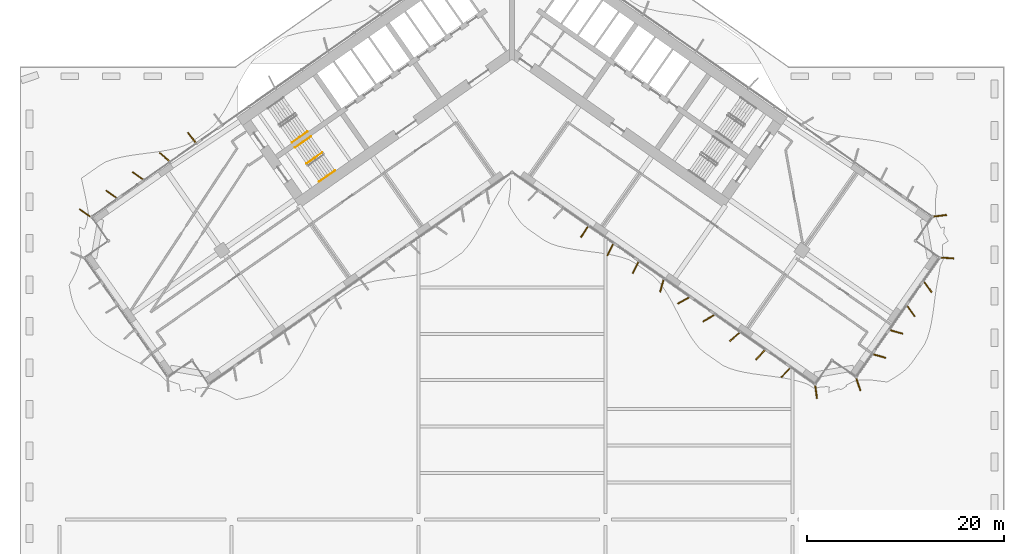
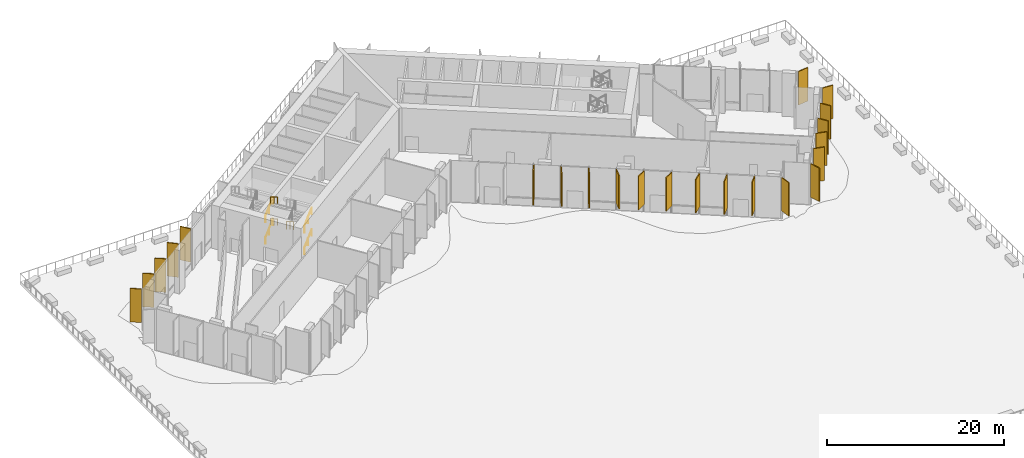
# One storey, part 23 of 27: 22 shading devices, 7 railings.
"""IFC4 building model written with IfcOpenShell, lengths in metres."""

from ifc_helpers import new_model, si_unit, direction, frame, origin, origin_2d, place, context, subcontext, project, spatial, rectangle, circle, extrude, material, layer, layer_set, type_object, element, save


model = new_model("IFC4")

# Units and contexts
model_context = context("Model", 3, precision=1e-05, world=origin(), true_north=direction((0.0, 1.0)))
body_context = subcontext(model_context, "Body", "Model", "MODEL_VIEW")
ifc_project = project(units=[si_unit("LENGTHUNIT", "METRE"), si_unit("AREAUNIT", "SQUARE_METRE"), si_unit("VOLUMEUNIT", "CUBIC_METRE"), si_unit("PLANEANGLEUNIT", "RADIAN"), si_unit("MASSUNIT", "GRAM", prefix="KILO")], contexts=[model_context])

# Site, building, storey
site_placement = place(None, origin())
site = spatial("IfcSite", under=ifc_project, at=site_placement, CompositionType="ELEMENT")
building_placement = place(site_placement, origin())
building = spatial("IfcBuilding", under=site, at=building_placement, Name="Tel Ilan Convention Tower", CompositionType="ELEMENT")
storey_placement = place(building_placement, frame((0.0, 0.0, 48.5)))
storey = spatial("IfcBuildingStorey", under=building, at=storey_placement, Name="L07", CompositionType="ELEMENT", Elevation=48.5)

# Shading devices
ifc_material_1 = material(Name="Aluminium, bronze anodised", Category="aluminium")
ifc_layer = layer(ifc_material_1, 0.1201171875)
ifc_layer_set = layer_set([ifc_layer], Name="FIN BRONZE 1300x120")
shading_device_type = type_object("IfcShadingDeviceType", Name="FIN BRONZE 1300x120", PredefinedType="USERDEFINED", material=ifc_layer_set)
for number, where, z_axis, x_axis, name in (
    (1, (7.36181640625, -18.7685546875, 1.099853515625), (0.0, 0.0, 1.0), (-0.533204432798, -0.845986425922, 0.0), "FIN"),
    (2, (9.9833984375, -20.603759765625, 1.099853515625), (0.0, 0.0, 1.0), (-0.448799180206, -0.893632640321, 0.0), "FIN"),
    (3, (12.55322265625, -22.403076171875, 1.099853515625), (0.0, 0.0, 1.0), (-0.448799180206, -0.893632640321, 0.0), "FIN"),
    (4, (15.234130859375, -24.25732421875, 1.099853515625), (0.0, 0.0, 1.0), (-0.268172612768, -0.963370878614, 0.0), "FIN"),
    (5, (17.412353515625, -25.760009765625, 1.099853515625), (0.0, 0.0, 1.0), (-0.866025403784, -0.5, 0.0), "FIN"),
    (6, (19.982421875, -27.559326171875, 1.099853515625), (0.0, 0.0, 1.0), (-0.866025403784, -0.5, 0.0), "FIN"),
    (7, (22.6318359375, -29.452392578125, 1.099853515625), (0.0, 0.0, 1.0), (-0.753435896329, -0.657521368568, 0.0), "FIN"),
    (8, (25.24853515625, -31.29248046875, 1.099853515625), (0.0, 0.0, 1.0), (-0.686241637865, -0.727373641577, 0.0), "FIN"),
    (9, (27.818603515625, -33.092041015625, 1.099853515625), (0.0, 0.0, 1.0), (-0.686241637865, -0.727373641577, 0.0), "FIN"),
    (10, (30.92138671875, -35.059326171875, 1.099853515625), (0.0, 0.0, 1.0), (0.125718016748, -0.992066016082, 0.0), "FIN"),
    (11, (35.223388671875, -34.30029296875, 1.099853515625), (0.0, 0.0, 1.0), (0.314544756146, -0.949242643575, 0.0), "FIN"),
    (12, (37.38037109375, -31.4033203125, 1.099853515625), (0.0, 0.0, 1.0), (0.963370878614, -0.268172612768, 0.0), "FIN"),
    (13, (39.10107421875, -28.94580078125, 1.099853515625), (0.0, 0.0, 1.0), (0.963370878614, -0.268172612768, 0.0), "FIN"),
    (14, (40.573486328125, -26.843017578125, 1.099853515625), (0.0, 0.0, 1.0), (0.581492071294, -0.813552070258, 0.0), "FIN"),
    (15, (42.29443359375, -24.385498046875, 1.099853515625), (0.0, 0.0, 1.0), (0.581492071294, -0.813552070258, 0.0), "FIN"),
    (16, (44.283203125, -21.4296875, 1.099853515625), (0.0, 0.0, 1.0), (0.997697449973, -0.067821812994, 0.0), "FIN"),
    (17, (43.531494140625, -17.127685546875, 1.099853515625), (0.0, 0.0, 1.0), (0.992066016082, 0.125718016748, 0.0), "FIN"),
    (18, (-32.56298828125, -9.18701171875, 1.099853515625), (0.0, 0.0, 1.0), (-0.612600545196, 0.790392669516, 0.0), "FIN"),
    (19, (-35.34130859375, -11.140869140625, 1.099853515625), (0.0, 0.0, 1.0), (-0.753435896329, 0.657521368568, 0.0), "FIN"),
    (20, (-38.063720703125, -13.0625, 1.099853515625), (0.0, 0.0, 1.0), (-0.813552070258, 0.581492071294, 0.0), "FIN"),
    (21, (-40.744140625, -14.939208984375, 1.099853515625), (0.0, 0.0, 1.0), (-0.813552070258, 0.581492071294, 0.0), "FIN"),
    (22, (-43.44140625, -16.832763671875, 1.099853515625), (0.0, 0.0, 1.0), (-0.819152044289, 0.573576436351, 0.0), "FIN"),
):
    element("IfcShadingDevice", number, at=place(storey_placement, frame(where, z_axis=z_axis, x_axis=x_axis)), inside=storey, type_object=shading_device_type, Name=name, ObjectType="FIN", PredefinedType="USERDEFINED", context=body_context, shape_type="SweptSolid", body=[
        extrude(rectangle(XDim=1.300048828125, YDim=0.1201171875, at=origin_2d()), origin(), (0.0, 0.0, 1.0), 4.6201171875),
    ])

# Railings
ifc_material_2 = material(Name="Stainless Steel Grade 316", Category="steel")
railing_type_1 = type_object("IfcRailingType", Name="Stainless Steel Stair Guard 1100 mm", PredefinedType="GUARDRAIL", material=ifc_material_2)
railing_1_placement = place(storey_placement, frame((-19.29150390625, -10.7001953125, 1.6875)))
element("IfcRailing", 23, at=railing_1_placement, inside=storey, type_object=railing_type_1, Name="L07 S2 stair guard 3", PredefinedType="GUARDRAIL", context=body_context, shape_type="SweptSolid", body=[
    extrude(circle(Radius=0.02392578125, at=origin_2d()), frame((0.0, 0.0, 1.076171875), z_axis=(-0.680615610069, -0.476617226942, 0.556415681224), x_axis=(0.573612813533, -0.819126571508, 0.0)), (0.0, 0.0, 1.0), 2.35888671875),
    extrude(circle(Radius=0.02099609375, at=origin_2d()), origin(), (0.0, 0.0, 1.0), 1.052001953125),
    extrude(circle(Radius=0.02099609375, at=origin_2d()), frame((-0.802734375, -0.56201171875, 0.65625)), (0.0, 0.0, 1.0), 1.052001953125),
    extrude(circle(Radius=0.02099609375, at=origin_2d()), frame((-1.60546875, -1.124267578125, 1.3125)), (0.0, 0.0, 1.0), 1.052001953125),
])
ifc_material_3 = material(Name="Stainless Steel Grade 316", Category="steel")
railing_type_2 = type_object("IfcRailingType", Name="Stainless Steel Stair Handrail 900 mm", PredefinedType="HANDRAIL", material=ifc_material_3)
for number, where, name in (
    (24, (-22.38818359375, -9.694580078125, 0.1875), "L07 S1 stair handrail 1"),
    (25, (-22.38818359375, -9.694580078125, 3.1875), "L07 S1 stair handrail 3"),
    (26, (-19.6064453125, -13.66748046875, 0.1875), "L07 S2 stair handrail 1"),
):
    element("IfcRailing", number, at=place(storey_placement, frame(where)), inside=storey, type_object=railing_type_2, Name=name, PredefinedType="HANDRAIL", context=body_context, shape_type="SweptSolid", body=[
        extrude(circle(Radius=0.02392578125, at=origin_2d()), frame((0.0, 0.0, 0.8759765625), z_axis=(0.680615610069, 0.476617226942, 0.556415681224), x_axis=(-0.573612813533, 0.819126571508, 0.0)), (0.0, 0.0, 1.0), 2.35888671875),
        extrude(circle(Radius=0.02099609375, at=origin_2d()), origin(), (0.0, 0.0, 1.0), 0.851806640625),
        extrude(circle(Radius=0.02099609375, at=origin_2d()), frame((0.802734375, 0.56201171875, 0.65625)), (0.0, 0.0, 1.0), 0.851806640625),
        extrude(circle(Radius=0.02099609375, at=origin_2d()), frame((1.60546875, 1.124267578125, 1.3125)), (0.0, 0.0, 1.0), 0.851806640625),
    ])
railing_2_placement = place(storey_placement, frame((-20.4384765625, -9.06201171875, 1.6875)))
element("IfcRailing", 27, at=railing_2_placement, inside=storey, type_object=railing_type_2, Name="L07 S2 stair handrail 2", PredefinedType="HANDRAIL", context=body_context, shape_type="SweptSolid", body=[
    extrude(circle(Radius=0.02392578125, at=origin_2d()), frame((0.0, 0.0, 0.8759765625), z_axis=(-0.680704730592, -0.47650366119, 0.556403927576), x_axis=(0.573470704013, -0.8192260687, 0.0)), (0.0, 0.0, 1.0), 2.35888671875),
    extrude(circle(Radius=0.02099609375, at=origin_2d()), origin(), (0.0, 0.0, 1.0), 0.851806640625),
    extrude(circle(Radius=0.02099609375, at=origin_2d()), frame((-0.802734375, -0.56201171875, 0.65625)), (0.0, 0.0, 1.0), 0.851806640625),
    extrude(circle(Radius=0.02099609375, at=origin_2d()), frame((-1.605712890625, -1.1240234375, 1.3125)), (0.0, 0.0, 1.0), 0.851806640625),
])
railing_3_placement = place(storey_placement, frame((-19.6064453125, -13.66748046875, 3.1875)))
element("IfcRailing", 28, at=railing_3_placement, inside=storey, type_object=railing_type_2, Name="L07 S2 stair handrail 3", PredefinedType="HANDRAIL", context=body_context, shape_type="SweptSolid", body=[
    extrude(circle(Radius=0.02392578125, at=origin_2d()), frame((0.0, 0.0, 0.8759765625), z_axis=(0.680615610069, 0.476617226942, 0.556415681224), x_axis=(-0.573612813533, 0.819126571508, 0.0)), (0.0, 0.0, 1.0), 2.35888671875),
    extrude(circle(Radius=0.02099609375, at=origin_2d()), origin(), (0.0, 0.0, 1.0), 0.851806640625),
    extrude(circle(Radius=0.02099609375, at=origin_2d()), frame((0.802734375, 0.56201171875, 0.65625)), (0.0, 0.0, 1.0), 0.851806640625),
    extrude(circle(Radius=0.02099609375, at=origin_2d()), frame((1.60546875, 1.124267578125, 1.3125)), (0.0, 0.0, 1.0), 0.851806640625),
])
railing_4_placement = place(storey_placement, frame((-20.4384765625, -9.06201171875, 4.6875)))
element("IfcRailing", 29, at=railing_4_placement, inside=storey, type_object=railing_type_2, Name="L07 S2 stair handrail 4", PredefinedType="HANDRAIL", context=body_context, shape_type="SweptSolid", body=[
    extrude(circle(Radius=0.02392578125, at=origin_2d()), frame((0.0, 0.0, 0.8759765625), z_axis=(-0.680704730592, -0.47650366119, 0.556403927576), x_axis=(0.573470704013, -0.8192260687, 0.0)), (0.0, 0.0, 1.0), 2.35888671875),
    extrude(circle(Radius=0.02099609375, at=origin_2d()), origin(), (0.0, 0.0, 1.0), 0.851806640625),
    extrude(circle(Radius=0.02099609375, at=origin_2d()), frame((-0.802734375, -0.56201171875, 0.65625)), (0.0, 0.0, 1.0), 0.851806640625),
    extrude(circle(Radius=0.02099609375, at=origin_2d()), frame((-1.605712890625, -1.1240234375, 1.3125)), (0.0, 0.0, 1.0), 0.851806640625),
])

save(model, "model.ifc")
